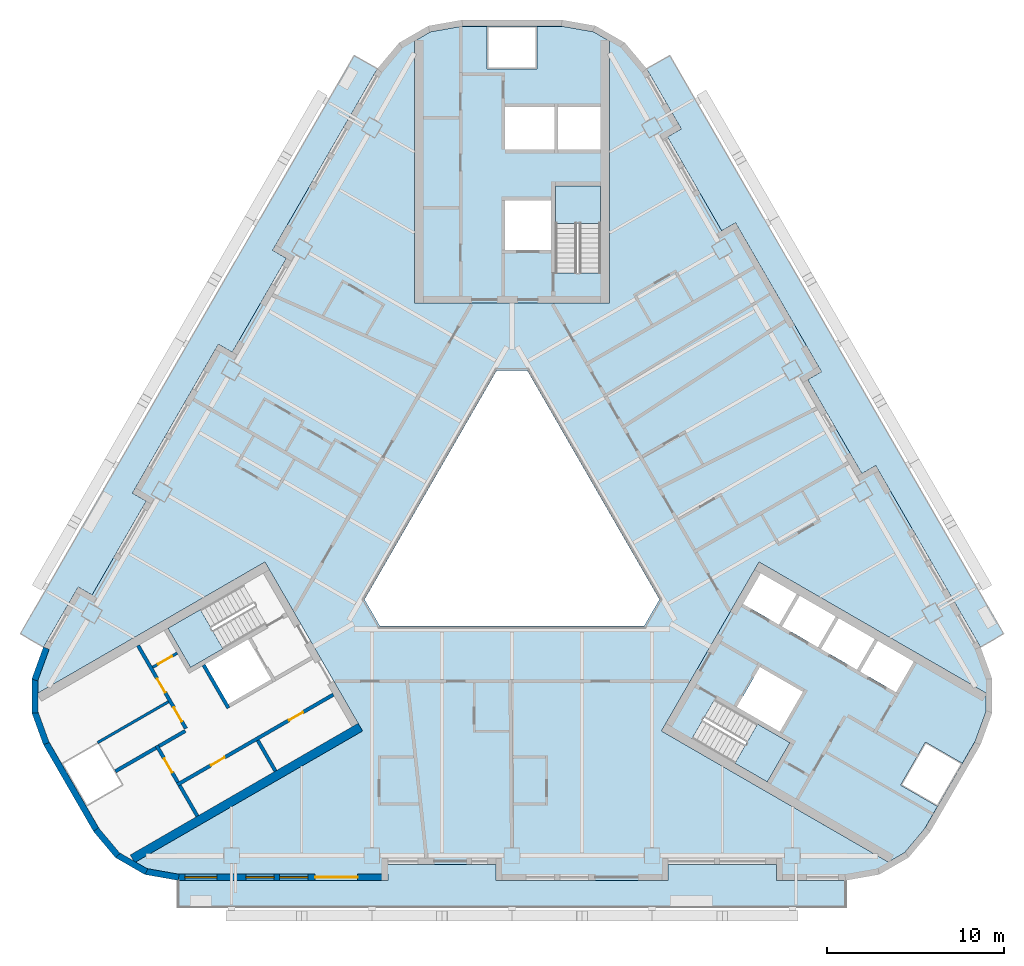
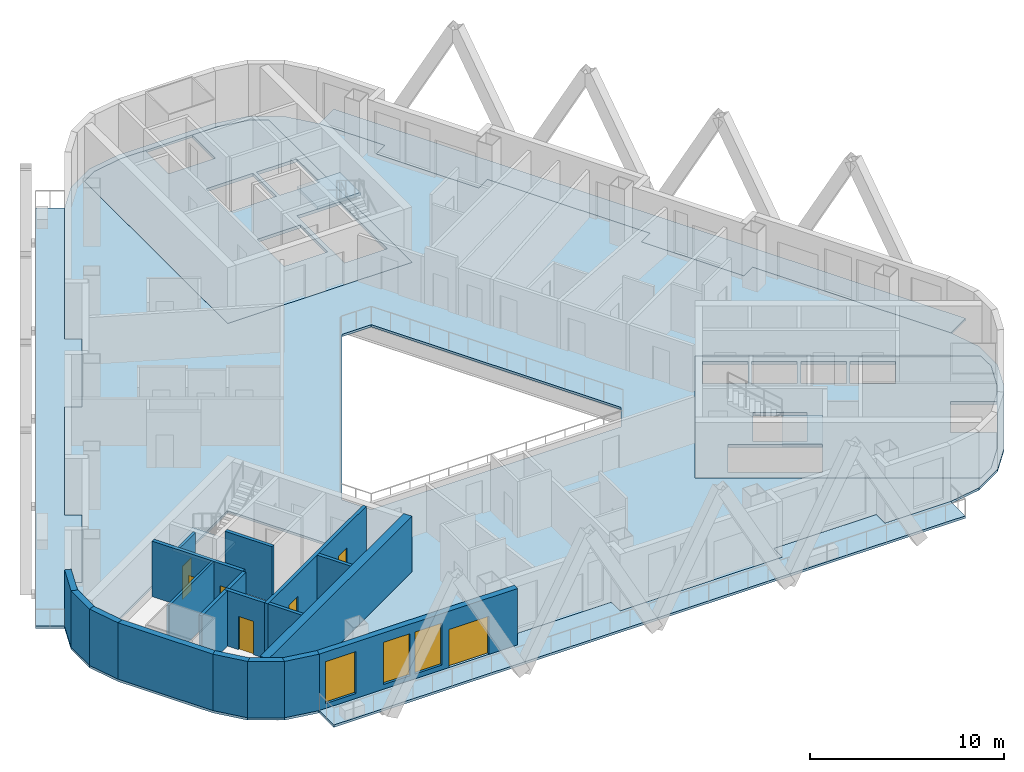
# One storey, part 2 of 14: 19 walls, 9 slabs, 7 doors, 3 windows, 10 openings, 3 elements without a shape of their own.
"""IFC4 building model written with IfcOpenShell, lengths in metres."""

from ifc_helpers import new_model, si_unit, direction, frame, frame_2d, origin, place, context, subcontext, project, spatial, polyline, rectangle, outline, extrude, material, layer, layer_set, type_object, element, fill, aggregate, save


model = new_model("IFC4")

# Units and contexts
model_context = context("Model", 3, precision=1e-05, world=origin(), true_north=direction((0.0, 1.0)))
body_context = subcontext(model_context, "Body", "Model", "MODEL_VIEW")
ifc_project = project(units=[si_unit("LENGTHUNIT", "METRE"), si_unit("AREAUNIT", "SQUARE_METRE"), si_unit("VOLUMEUNIT", "CUBIC_METRE"), si_unit("PLANEANGLEUNIT", "RADIAN"), si_unit("MASSUNIT", "GRAM", prefix="KILO")], contexts=[model_context])

# Site, building, storey
site_placement = place(None, origin())
site = spatial("IfcSite", under=ifc_project, at=site_placement, CompositionType="ELEMENT")
building_placement = place(site_placement, origin())
building = spatial("IfcBuilding", under=site, at=building_placement, Name="Apuvela Tower Hotel", CompositionType="ELEMENT")
storey_placement = place(building_placement, frame((0.0, 0.0, 120.5)))
storey = spatial("IfcBuildingStorey", under=building, at=storey_placement, Name="L28", CompositionType="ELEMENT", Elevation=120.5)

# Slabs
ifc_material_1 = material(Name="Concrete C50/60", Category="concrete")
ifc_layer_1 = layer(ifc_material_1, 0.199951171875)
ifc_layer_set_1 = layer_set([ifc_layer_1], Name="COR-FLOOR-200")
slab_type_1 = type_object("IfcSlabType", Name="COR-FLOOR-200", PredefinedType="FLOOR", material=ifc_layer_set_1)
slab_1_placement = place(storey_placement, frame((0.0, 0.0, -0.199951171875)))
element("IfcSlab", 1, at=slab_1_placement, inside=storey, type_object=slab_type_1, Name="Core floor N", PredefinedType="FLOOR", context=body_context, shape_type="SweptSolid", body=[
    extrude(outline(polyline([(5.5, 27.668212890625), (4.588623046875, 28.1943359375), (2.85498046875, 28.5), (1.39990234375, 28.5), (1.39990234375, 26.10009765625), (-1.39990234375, 26.10009765625), (-1.39990234375, 28.5), (-2.85498046875, 28.5), (-4.588623046875, 28.1943359375), (-5.5, 27.668212890625), (-5.5, 12.89990234375), (5.5, 12.89990234375), (5.5, 27.668212890625)]), holes=[polyline([(5.0, 14.60595703125), (2.449951171875, 14.60595703125), (2.449951171875, 19.5), (5.0, 19.5), (5.0, 14.60595703125)]), polyline([(2.199951171875, 15.89990234375), (-0.39990234375, 15.89990234375), (-0.39990234375, 18.699951171875), (2.199951171875, 18.699951171875), (2.199951171875, 15.89990234375)]), polyline([(5.0, 21.550048828125), (2.60009765625, 21.550048828125), (2.60009765625, 23.949951171875), (5.0, 23.949951171875), (5.0, 21.550048828125)]), polyline([(2.39990234375, 21.550048828125), (-0.39990234375, 21.550048828125), (-0.39990234375, 23.949951171875), (2.39990234375, 23.949951171875), (2.39990234375, 21.550048828125)])]), origin(), (0.0, 0.0, 1.0), 0.199951171875),
])
slab_2_placement = place(storey_placement, frame((0.0, 0.0, -0.199951171875)))
element("IfcSlab", 2, at=slab_2_placement, inside=storey, type_object=slab_type_1, Name="Core floor SE", PredefinedType="FLOOR", context=body_context, shape_type="SweptSolid", body=[
    extrude(outline(polyline([(21.211181640625, -18.59716796875), (22.122802734375, -18.071044921875), (23.254150390625, -16.72265625), (23.981689453125, -15.46240234375), (21.9033203125, -14.262451171875), (23.30322265625, -11.837646484375), (25.381591796875, -13.03759765625), (26.109375, -11.77734375), (26.711181640625, -10.123291015625), (26.711181640625, -9.07080078125), (13.921630859375, -1.68701171875), (8.421630859375, -11.213134765625), (21.211181640625, -18.59716796875)]), holes=[polyline([(13.01806640625, -4.052001953125), (14.01806640625, -2.31982421875), (16.044677734375, -3.489990234375), (15.044677734375, -5.221923828125), (13.01806640625, -4.052001953125)]), polyline([(17.244384765625, -6.491943359375), (15.2177734375, -5.322021484375), (16.2177734375, -3.58984375), (18.244384765625, -4.760009765625), (17.244384765625, -6.491943359375)]), polyline([(14.387451171875, -14.080078125), (10.149169921875, -11.633056640625), (11.42431640625, -9.4248046875), (15.66259765625, -11.871826171875), (14.387451171875, -14.080078125)]), polyline([(12.669921875, -9.855224609375), (13.9697265625, -7.603515625), (16.394775390625, -9.003662109375), (15.0947265625, -11.25537109375), (12.669921875, -9.855224609375)]), polyline([(19.444091796875, -7.761962890625), (17.41748046875, -6.591796875), (18.41748046875, -4.85986328125), (20.444091796875, -6.02978515625), (19.444091796875, -7.761962890625)]), polyline([(21.643798828125, -9.031982421875), (19.6171875, -7.86181640625), (20.6171875, -6.1298828125), (22.643798828125, -7.2998046875), (21.643798828125, -9.031982421875)])]), origin(), (0.0, 0.0, 1.0), 0.199951171875),
])

# Stair, slab
stair_type = type_object("IfcStairType", Name="COR-STAIR-22R", PredefinedType="HALF_TURN_STAIR", material=ifc_material_1)
stair_1_placement = place(storey_placement, origin())
stair_1 = element("IfcStair", 3, at=stair_1_placement, inside=storey, type_object=stair_type, Name="L28 Exit stair ST1", PredefinedType="HALF_TURN_STAIR")
ifc_layer_2 = layer(ifc_material_1, 0.199951171875)
ifc_layer_set_2 = layer_set([ifc_layer_2], Name="COR-LANDING-200")
slab_type_2 = type_object("IfcSlabType", Name="COR-LANDING-200", PredefinedType="LANDING", material=ifc_layer_set_2)
slab_3_placement = place(storey_placement, frame((0.0, 0.0, 1.64990234375)))
slab_3 = element("IfcSlab", 4, at=slab_3_placement, type_object=slab_type_2, Name="ST1 landing 1", PredefinedType="LANDING", context=body_context, shape_type="SweptSolid", body=[
    extrude(outline(polyline([(5.0, 17.39404296875), (5.0, 19.5), (2.449951171875, 19.5), (2.449951171875, 17.39404296875), (5.0, 17.39404296875)])), origin(), (0.0, 0.0, 1.0), 0.2001953125),
])
aggregate(stair_1, [slab_3])

stair_2_placement = place(storey_placement, origin())
stair_2 = element("IfcStair", 5, at=stair_2_placement, inside=storey, type_object=stair_type, Name="L28 Exit stair ST2", PredefinedType="HALF_TURN_STAIR")
slab_4_placement = place(storey_placement, frame((0.0, 0.0, 1.64990234375)))
slab_4 = element("IfcSlab", 6, at=slab_4_placement, type_object=slab_type_2, Name="ST2 landing 1", PredefinedType="LANDING", context=body_context, shape_type="SweptSolid", body=[
    extrude(outline(polyline([(-17.563720703125, -4.366943359375), (-19.387451171875, -5.419921875), (-18.112548828125, -7.628173828125), (-16.28857421875, -6.5751953125), (-17.563720703125, -4.366943359375)])), origin(), (0.0, 0.0, 1.0), 0.2001953125),
])
aggregate(stair_2, [slab_4])

stair_3_placement = place(storey_placement, origin())
stair_3 = element("IfcStair", 7, at=stair_3_placement, inside=storey, type_object=stair_type, Name="L28 Exit stair ST3", PredefinedType="HALF_TURN_STAIR")
slab_5_placement = place(storey_placement, frame((0.0, 0.0, 1.64990234375)))
slab_5 = element("IfcSlab", 8, at=slab_5_placement, type_object=slab_type_2, Name="ST3 landing 1", PredefinedType="LANDING", context=body_context, shape_type="SweptSolid", body=[
    extrude(outline(polyline([(12.563720703125, -13.027099609375), (14.387451171875, -14.080078125), (15.66259765625, -11.871826171875), (13.838623046875, -10.81884765625), (12.563720703125, -13.027099609375)])), origin(), (0.0, 0.0, 1.0), 0.2001953125),
])
aggregate(stair_3, [slab_5])

# Slabs
ifc_material_2 = material(Name="Concrete C40/50, fair-faced", Category="concrete")
ifc_layer_3 = layer(ifc_material_2, 0.14990234375)
ifc_layer_set_3 = layer_set([ifc_layer_3], Name="ENV-BALCONY-150")
slab_type_3 = type_object("IfcSlabType", Name="ENV-BALCONY-150", PredefinedType="FLOOR", material=ifc_layer_set_3)
slab_6_placement = place(storey_placement, frame((0.0, 0.0, -0.14990234375)))
element("IfcSlab", 9, at=slab_6_placement, inside=storey, type_object=slab_type_3, Name="Balcony slab S L28", PredefinedType="FLOOR", context=body_context, shape_type="SweptSolid", body=[
    extrude(outline(polyline([(18.82080078125, -21.135009765625), (-18.82080078125, -21.135009765625), (-18.82080078125, -19.625), (-7.0048828125, -19.625), (-7.0048828125, -18.72509765625), (-0.89501953125, -18.72509765625), (-0.89501953125, -19.625), (8.794921875, -19.625), (8.794921875, -18.72509765625), (14.905029296875, -18.72509765625), (14.905029296875, -19.625), (18.82080078125, -19.625), (18.82080078125, -21.135009765625)])), origin(), (0.0, 0.0, 1.0), 0.14990234375),
])
slab_7_placement = place(storey_placement, frame((0.0, 0.0, -0.14990234375)))
element("IfcSlab", 10, at=slab_7_placement, inside=storey, type_object=slab_type_3, Name="Balcony slab NE L28", PredefinedType="FLOOR", context=body_context, shape_type="SweptSolid", body=[
    extrude(outline(polyline([(17.443359375, 9.037353515625), (12.598388671875, 17.42919921875), (11.81884765625, 16.979248046875), (8.763916015625, 22.2705078125), (9.543212890625, 22.720703125), (7.585205078125, 26.11181640625), (8.89306640625, 26.86669921875), (27.7138671875, -5.731689453125), (26.40625, -6.48681640625), (20.498291015625, 3.74609375), (19.71875, 3.2958984375), (16.663818359375, 8.58740234375), (17.443359375, 9.037353515625)])), origin(), (0.0, 0.0, 1.0), 0.14990234375),
])
slab_8_placement = place(storey_placement, frame((0.0, 0.0, -0.14990234375)))
element("IfcSlab", 11, at=slab_8_placement, inside=storey, type_object=slab_type_3, Name="Balcony slab NW L28", PredefinedType="FLOOR", context=body_context, shape_type="SweptSolid", body=[
    extrude(outline(polyline([(-27.7138671875, -5.731689453125), (-8.89306640625, 26.86669921875), (-7.585205078125, 26.11181640625), (-13.4931640625, 15.87890625), (-12.7138671875, 15.428955078125), (-15.768798828125, 10.1376953125), (-16.548095703125, 10.587646484375), (-21.393310546875, 2.19580078125), (-20.61376953125, 1.745849609375), (-23.668701171875, -3.545654296875), (-24.4482421875, -3.095703125), (-26.40625, -6.48681640625), (-27.7138671875, -5.731689453125)])), origin(), (0.0, 0.0, 1.0), 0.14990234375),
])
ifc_material_3 = material(Name="Concrete C35/45", Category="concrete")
ifc_layer_4 = layer(ifc_material_3, 0.14990234375)
ifc_layer_set_4 = layer_set([ifc_layer_4], Name="STR-SLAB 150 floor Concrete C35/45")
slab_type_4 = type_object("IfcSlabType", Name="STR-SLAB 150 floor Concrete C35/45", PredefinedType="FLOOR", material=ifc_layer_set_4)
slab_9_placement = place(storey_placement, frame((0.0, 0.0, -0.14990234375)))
element("IfcSlab", 12, at=slab_9_placement, inside=storey, type_object=slab_type_4, Name="Floor slab S4 L28", PredefinedType="FLOOR", context=body_context, shape_type="SweptSolid", body=[
    extrude(outline(polyline([(-6.3642578125, 27.5732421875), (-4.710205078125, 28.5283203125), (-2.8291015625, 28.860107421875), (2.8291015625, 28.860107421875), (4.710205078125, 28.5283203125), (6.3642578125, 27.5732421875), (7.59228515625, 26.110107421875), (9.550048828125, 22.71875), (8.770751953125, 22.268798828125), (11.82080078125, 16.986083984375), (12.60009765625, 17.43603515625), (17.4501953125, 9.035400390625), (16.670654296875, 8.58544921875), (19.720703125, 3.302734375), (20.5, 3.752685546875), (26.407958984375, -6.47998046875), (27.061279296875, -8.27490234375), (27.061279296875, -10.18505859375), (26.407958984375, -11.97998046875), (23.5791015625, -16.8798828125), (22.351318359375, -18.34326171875), (20.697021484375, -19.29833984375), (18.81591796875, -19.6298828125), (14.89990234375, -19.6298828125), (14.89990234375, -18.72998046875), (8.800048828125, -18.72998046875), (8.800048828125, -19.6298828125), (-0.89990234375, -19.6298828125), (-0.89990234375, -18.72998046875), (-7.0, -18.72998046875), (-7.0, -19.6298828125), (-18.81591796875, -19.6298828125), (-20.697021484375, -19.29833984375), (-22.351318359375, -18.34326171875), (-23.5791015625, -16.8798828125), (-26.407958984375, -11.97998046875), (-27.061279296875, -10.18505859375), (-27.061279296875, -8.27490234375), (-26.407958984375, -6.47998046875), (-24.4501953125, -3.088623046875), (-23.670654296875, -3.538818359375), (-20.62060546875, 1.743896484375), (-21.400146484375, 2.194091796875), (-16.550048828125, 10.594482421875), (-15.7705078125, 10.14453125), (-12.720703125, 15.42724609375), (-13.5, 15.877197265625), (-7.59228515625, 26.110107421875), (-6.3642578125, 27.5732421875)]), holes=[polyline([(0.865966796875, 9.10009765625), (-0.865966796875, 9.10009765625), (-8.313720703125, -3.800048828125), (-7.44775390625, -5.300048828125), (7.44775390625, -5.300048828125), (8.313720703125, -3.800048828125), (0.865966796875, 9.10009765625)]), polyline([(-5.5, 12.89990234375), (-5.5, 27.668212890625), (-4.588623046875, 28.1943359375), (-2.85498046875, 28.5), (2.85498046875, 28.5), (4.588623046875, 28.1943359375), (5.5, 27.668212890625), (5.5, 12.89990234375), (-5.5, 12.89990234375)]), polyline([(-8.421630859375, -11.213134765625), (-21.211181640625, -18.59716796875), (-22.122802734375, -18.071044921875), (-23.254150390625, -16.72265625), (-26.109375, -11.77734375), (-26.711181640625, -10.123291015625), (-26.711181640625, -9.07080078125), (-13.921630859375, -1.68701171875), (-8.421630859375, -11.213134765625)]), polyline([(13.921630859375, -1.68701171875), (26.711181640625, -9.07080078125), (26.711181640625, -10.123291015625), (26.109375, -11.77734375), (23.254150390625, -16.72265625), (22.122802734375, -18.071044921875), (21.211181640625, -18.59716796875), (8.421630859375, -11.213134765625), (13.921630859375, -1.68701171875)])]), origin(), (0.0, 0.0, 1.0), 0.14990234375),
])

# Wall
ifc_layer_5 = layer(ifc_material_1, 0.5)
ifc_layer_set_5 = layer_set([ifc_layer_5], Name="COR-WALL-CORE-500")
wall_type_1 = type_object("IfcWallType", Name="COR-WALL-CORE-500", PredefinedType="SHEAR", material=ifc_layer_set_5)
wall_1_placement = place(storey_placement, frame((-8.546630859375, -10.99658203125, 0.0), z_axis=(0.0, 0.0, 1.0), x_axis=(-0.866025009528, -0.500000682871, 0.0)))
element("IfcWall", 13, at=wall_1_placement, inside=storey, type_object=wall_type_1, Name="Core wall SW", PredefinedType="SHEAR", context=body_context, shape_type="SweptSolid", body=[
    extrude(rectangle(XDim=14.8369140625, YDim=0.5, at=frame_2d((7.41845703125, 0.0))), origin(), (0.0, 0.0, 1.0), 3.5),
])

# Wall, opening, door
ifc_material_4 = material(Name="Blockwork 150 mm plastered", Category="masonry")
ifc_layer_6 = layer(ifc_material_4, 0.14990234375)
ifc_layer_set_6 = layer_set([ifc_layer_6], Name="COR-WALL-PART-150")
wall_type_2 = type_object("IfcWallType", Name="COR-WALL-PART-150", PredefinedType="PARTITIONING", material=ifc_layer_set_6)
wall_2_placement = place(storey_placement, frame((-18.866455078125, -6.822265625, 0.0), z_axis=(0.0, 0.0, 1.0), x_axis=(-0.866028054938, -0.499995408039, 0.0)))
wall_2 = element("IfcWall", 14, at=wall_2_placement, inside=storey, type_object=wall_type_2, Name="Partition SW", PredefinedType="PARTITIONING", context=body_context, shape_type="SweptSolid", body=[
    extrude(rectangle(XDim=1.60009765625, YDim=0.14990234375, at=frame_2d((0.800048828125, 0.0))), origin(), (0.0, 0.0, 1.0), 3.5),
])
opening_1_placement = place(wall_2_placement, frame((0.35009765625, 0.0, 0.0)))
opening_1 = element("IfcOpeningElement", 15, at=opening_1_placement, cuts=wall_2, Name="Opening W-RD", PredefinedType="OPENING", context=body_context, shape_type="SweptSolid", body=[
    extrude(rectangle(XDim=0.89990234375, YDim=2.10009765625, at=frame_2d((0.449951171875, 1.050048828125))), frame((0.0, 0.0849609375, 0.0), z_axis=(0.0, -1.0, 0.0), x_axis=(1.0, 0.0, 0.0)), (0.0, 0.0, 1.0), 0.169921875),
])
ifc_material_5 = material(Name="Steel access door, powder coated", Category="steel")
door_type_1 = type_object("IfcDoorType", Name="COR-RD-900", OperationType="NOTDEFINED", PredefinedType="DOOR", material=ifc_material_5)
door_1_placement = place(opening_1_placement, frame((0.89990234375, 0.0, 0.0), z_axis=(0.0, 0.0, 1.0), x_axis=(-1.0, 0.0, 0.0)))
door_1 = element("IfcDoor", 16, at=door_1_placement, inside=storey, type_object=door_type_1, Name="Riser door W-RD", OperationType="SINGLE_SWING_RIGHT", OverallHeight=2.10009765625, OverallWidth=0.89990234375, PredefinedType="DOOR", context=body_context, shape_type="SweptSolid", body=[
    extrude(rectangle(XDim=0.89990234375, YDim=2.10009765625, at=frame_2d((0.449951171875, 1.050048828125))), frame((0.0, 0.02490234375, 0.0), z_axis=(0.0, -1.0, 0.0), x_axis=(1.0, 0.0, 0.0)), (0.0, 0.0, 1.0), 0.050048828125),
])
fill(opening_1, door_1)

# Wall
wall_3_placement = place(storey_placement, frame((-19.36279296875, -9.5625, 0.0), z_axis=(0.0, 0.0, 1.0), x_axis=(-0.86601185002, -0.500023475074, 0.0)))
element("IfcWall", 17, at=wall_3_placement, inside=storey, type_object=wall_type_2, Name="Partition SW", PredefinedType="PARTITIONING", context=body_context, shape_type="SweptSolid", body=[
    extrude(rectangle(XDim=4.610107421875, YDim=0.14990234375, at=frame_2d((2.30517578125, 0.0))), origin(), (0.0, 0.0, 1.0), 3.5),
])

# Wall, openings, doors
ifc_material_6 = material(Name="Blockwork 200 mm plastered", Category="masonry")
ifc_layer_7 = layer(ifc_material_6, 0.199951171875)
ifc_layer_set_7 = layer_set([ifc_layer_7], Name="COR-WALL-PART-200")
wall_type_3 = type_object("IfcWallType", Name="COR-WALL-PART-200", PredefinedType="PARTITIONING", material=ifc_layer_set_7)
wall_4_placement = place(storey_placement, frame((-21.076171875, -6.39501953125, 0.0), z_axis=(0.0, 0.0, 1.0), x_axis=(0.50001468107, -0.866016927499, 0.0)))
wall_4 = element("IfcWall", 18, at=wall_4_placement, inside=storey, type_object=wall_type_3, Name="Partition SW", PredefinedType="PARTITIONING", context=body_context, shape_type="SweptSolid", body=[
    extrude(rectangle(XDim=5.399658203125, YDim=0.199951171875, at=frame_2d((2.69970703125, 0.0))), origin(), (0.0, 0.0, 1.0), 3.5),
])
opening_2_placement = place(wall_4_placement, frame((2.16259765625, 0.0, 0.0)))
opening_2 = element("IfcOpeningElement", 19, at=opening_2_placement, cuts=wall_4, Name="Opening W-RS1", PredefinedType="OPENING", context=body_context, shape_type="SweptSolid", body=[
    extrude(rectangle(XDim=0.89990234375, YDim=2.10009765625, at=frame_2d((0.449951171875, 1.050048828125))), frame((0.0, 0.10986328125, 0.0), z_axis=(0.0, -1.0, 0.0), x_axis=(1.0, 0.0, 0.0)), (0.0, 0.0, 1.0), 0.219970703125),
])
opening_3_placement = place(wall_4_placement, frame((4.03759765625, 0.0, 0.0)))
opening_3 = element("IfcOpeningElement", 20, at=opening_3_placement, cuts=wall_4, Name="Opening W-RS2", PredefinedType="OPENING", context=body_context, shape_type="SweptSolid", body=[
    extrude(rectangle(XDim=0.89990234375, YDim=2.10009765625, at=frame_2d((0.449951171875, 1.050048828125))), frame((0.0, 0.10986328125, 0.0), z_axis=(0.0, -1.0, 0.0), x_axis=(1.0, 0.0, 0.0)), (0.0, 0.0, 1.0), 0.219970703125),
])
ifc_material_7 = material(Name="Steel fire door, powder coated", Category="steel")
door_type_2 = type_object("IfcDoorType", Name="COR-DR-900", OperationType="NOTDEFINED", PredefinedType="DOOR", material=ifc_material_7)
door_2_placement = place(opening_2_placement, frame((0.89990234375, 0.0, 0.0), z_axis=(0.0, 0.0, 1.0), x_axis=(-1.0, 0.0, 0.0)))
door_2 = element("IfcDoor", 21, at=door_2_placement, inside=storey, type_object=door_type_2, Name="Store door W-RS1", OperationType="SINGLE_SWING_LEFT", OverallHeight=2.10009765625, OverallWidth=0.89990234375, PredefinedType="DOOR", context=body_context, shape_type="SweptSolid", body=[
    extrude(rectangle(XDim=0.89990234375, YDim=2.10009765625, at=frame_2d((0.449951171875, 1.050048828125))), frame((0.0, 0.02490234375, 0.0), z_axis=(0.0, -1.0, 0.0), x_axis=(1.0, 0.0, 0.0)), (0.0, 0.0, 1.0), 0.050048828125),
])
fill(opening_2, door_2)
door_3_placement = place(opening_3_placement, frame((0.89990234375, 0.0, 0.0), z_axis=(0.0, 0.0, 1.0), x_axis=(-1.0, 0.0, 0.0)))
door_3 = element("IfcDoor", 22, at=door_3_placement, inside=storey, type_object=door_type_2, Name="Store door W-RS2", OperationType="SINGLE_SWING_LEFT", OverallHeight=2.10009765625, OverallWidth=0.89990234375, PredefinedType="DOOR", context=body_context, shape_type="SweptSolid", body=[
    extrude(rectangle(XDim=0.89990234375, YDim=2.10009765625, at=frame_2d((0.449951171875, 1.050048828125))), frame((0.0, 0.02490234375, 0.0), z_axis=(0.0, -1.0, 0.0), x_axis=(1.0, 0.0, 0.0)), (0.0, 0.0, 1.0), 0.050048828125),
])
fill(opening_3, door_3)

# Wall
ifc_layer_8 = layer(ifc_material_1, 0.199951171875)
ifc_layer_set_8 = layer_set([ifc_layer_8], Name="COR-WALL-SHAFT-200")
wall_type_4 = type_object("IfcWallType", Name="COR-WALL-SHAFT-200", PredefinedType="SHEAR", material=ifc_layer_set_8)
wall_5_placement = place(storey_placement, frame((-17.38134765625, -7.49462890625, 0.0), z_axis=(0.0, 0.0, 1.0), x_axis=(0.500011755427, -0.866018616679, 0.0)))
element("IfcWall", 23, at=wall_5_placement, inside=storey, type_object=wall_type_4, Name="Shaft wall SW", PredefinedType="SHEAR", context=body_context, shape_type="SweptSolid", body=[
    extrude(rectangle(XDim=2.80029296875, YDim=0.199951171875, at=frame_2d((1.400146484375, 0.0))), origin(), (0.0, 0.0, 1.0), 3.5),
])

# Wall, openings, doors
wall_6_placement = place(storey_placement, frame((-10.068115234375, -9.16162109375, 0.0), z_axis=(0.0, 0.0, 1.0), x_axis=(-0.866032725843, -0.499987317609, 0.0)))
wall_6 = element("IfcWall", 24, at=wall_6_placement, inside=storey, type_object=wall_type_4, Name="Shaft wall SW", PredefinedType="SHEAR", context=body_context, shape_type="SweptSolid", body=[
    extrude(rectangle(XDim=10.159912109375, YDim=0.199951171875, at=frame_2d((5.080078125, 0.0))), origin(), (0.0, 0.0, 1.0), 3.5),
])
opening_4_placement = place(wall_6_placement, frame((1.989990234375, 0.0, 0.0)))
opening_4 = element("IfcOpeningElement", 25, at=opening_4_placement, cuts=wall_6, Name="Opening W-RE1", PredefinedType="OPENING", context=body_context, shape_type="SweptSolid", body=[
    extrude(rectangle(XDim=0.89990234375, YDim=2.10009765625, at=frame_2d((0.449951171875, 1.050048828125))), frame((0.0, 0.10986328125, 0.0), z_axis=(0.0, -1.0, 0.0), x_axis=(1.0, 0.0, 0.0)), (0.0, 0.0, 1.0), 0.219970703125),
])
opening_5_placement = place(wall_6_placement, frame((7.070068359375, 0.0, 0.0)))
opening_5 = element("IfcOpeningElement", 26, at=opening_5_placement, cuts=wall_6, Name="Opening W-RE3", PredefinedType="OPENING", context=body_context, shape_type="SweptSolid", body=[
    extrude(rectangle(XDim=0.89990234375, YDim=2.10009765625, at=frame_2d((0.449951171875, 1.050048828125))), frame((0.0, 0.10986328125, 0.0), z_axis=(0.0, -1.0, 0.0), x_axis=(1.0, 0.0, 0.0)), (0.0, 0.0, 1.0), 0.219970703125),
])
door_4_placement = place(opening_4_placement, origin())
door_4 = element("IfcDoor", 27, at=door_4_placement, inside=storey, type_object=door_type_2, Name="Store door W-RE1", OperationType="SINGLE_SWING_LEFT", OverallHeight=2.10009765625, OverallWidth=0.89990234375, PredefinedType="DOOR", context=body_context, shape_type="SweptSolid", body=[
    extrude(rectangle(XDim=0.89990234375, YDim=2.10009765625, at=frame_2d((0.449951171875, 1.050048828125))), frame((0.0, 0.02490234375, 0.0), z_axis=(0.0, -1.0, 0.0), x_axis=(1.0, 0.0, 0.0)), (0.0, 0.0, 1.0), 0.050048828125),
])
fill(opening_4, door_4)
door_5_placement = place(opening_5_placement, origin())
door_5 = element("IfcDoor", 28, at=door_5_placement, inside=storey, type_object=door_type_2, Name="Store door W-RE3", OperationType="SINGLE_SWING_LEFT", OverallHeight=2.10009765625, OverallWidth=0.89990234375, PredefinedType="DOOR", context=body_context, shape_type="SweptSolid", body=[
    extrude(rectangle(XDim=0.89990234375, YDim=2.10009765625, at=frame_2d((0.449951171875, 1.050048828125))), frame((0.0, 0.02490234375, 0.0), z_axis=(0.0, -1.0, 0.0), x_axis=(1.0, 0.0, 0.0)), (0.0, 0.0, 1.0), 0.050048828125),
])
fill(opening_5, door_5)

# Wall, opening, door
wall_7_placement = place(storey_placement, frame((-20.030517578125, -12.0263671875, 0.0), z_axis=(0.0, 0.0, 1.0), x_axis=(0.500033551112, -0.866006032174, 0.0)))
wall_7 = element("IfcWall", 29, at=wall_7_placement, inside=storey, type_object=wall_type_4, Name="Shaft wall SW", PredefinedType="SHEAR", context=body_context, shape_type="SweptSolid", body=[
    extrude(rectangle(XDim=2.400146484375, YDim=0.199951171875, at=frame_2d((1.2001953125, 0.0))), origin(), (0.0, 0.0, 1.0), 3.5),
])
opening_6_placement = place(wall_7_placement, frame((0.85009765625, 0.0, 0.0)))
opening_6 = element("IfcOpeningElement", 30, at=opening_6_placement, cuts=wall_7, Name="Opening W-REP", PredefinedType="OPENING", context=body_context, shape_type="SweptSolid", body=[
    extrude(rectangle(XDim=0.89990234375, YDim=2.10009765625, at=frame_2d((0.449951171875, 1.050048828125))), frame((0.0, 0.10986328125, 0.0), z_axis=(0.0, -1.0, 0.0), x_axis=(1.0, 0.0, 0.0)), (0.0, 0.0, 1.0), 0.219970703125),
])
door_6_placement = place(opening_6_placement, frame((0.89990234375, 0.0, 0.0), z_axis=(0.0, 0.0, 1.0), x_axis=(-1.0, 0.0, 0.0)))
door_6 = element("IfcDoor", 31, at=door_6_placement, inside=storey, type_object=door_type_2, Name="Store door W-REP", OperationType="SINGLE_SWING_LEFT", OverallHeight=2.10009765625, OverallWidth=0.89990234375, PredefinedType="DOOR", context=body_context, shape_type="SweptSolid", body=[
    extrude(rectangle(XDim=0.89990234375, YDim=2.10009765625, at=frame_2d((0.449951171875, 1.050048828125))), frame((0.0, 0.02490234375, 0.0), z_axis=(0.0, -1.0, 0.0), x_axis=(1.0, 0.0, 0.0)), (0.0, 0.0, 1.0), 0.050048828125),
])
fill(opening_6, door_6)

# Walls
wall_8_placement = place(storey_placement, frame((-18.412841796875, -11.2080078125, 0.0), z_axis=(0.0, 0.0, 1.0), x_axis=(-0.866038183914, -0.499977863513, 0.0)))
element("IfcWall", 32, at=wall_8_placement, inside=storey, type_object=wall_type_4, Name="Shaft wall SW", PredefinedType="SHEAR", context=body_context, shape_type="SweptSolid", body=[
    extrude(rectangle(XDim=1.7099609375, YDim=0.199951171875, at=frame_2d((0.85498046875, 0.0))), origin(), (0.0, 0.0, 1.0), 3.5),
])
for number, where, z_axis, x_axis, name in (
    (33, (-14.330810546875, -11.738037109375, 0.0), (0.0, 0.0, 1.0), (0.499972520799, -0.866041268327, 0.0), "Shaft wall SW"),
    (34, (-18.73046875, -14.278076171875, 0.0), (0.0, 0.0, 1.0), (0.50002537861, -0.866010750942, 0.0), "Shaft wall SW"),
):
    element("IfcWall", number, at=place(storey_placement, frame(where, z_axis=z_axis, x_axis=x_axis)), inside=storey, type_object=wall_type_4, Name=name, PredefinedType="SHEAR", context=body_context, shape_type="SweptSolid", body=[
        extrude(rectangle(XDim=2.0, YDim=0.199951171875, at=frame_2d((1.0, 0.0))), origin(), (0.0, 0.0, 1.0), 3.5),
    ])
wall_9_placement = place(storey_placement, frame((-20.06689453125, -12.1630859375, 0.0), z_axis=(0.0, 0.0, 1.0), x_axis=(-0.866060851709, -0.499938597367, 0.0)))
element("IfcWall", 35, at=wall_9_placement, inside=storey, type_object=wall_type_4, Name="Shaft wall SW", PredefinedType="SHEAR", context=body_context, shape_type="SweptSolid", body=[
    extrude(rectangle(XDim=2.639892578125, YDim=0.199951171875, at=frame_2d((1.31982421875, 0.0))), origin(), (0.0, 0.0, 1.0), 3.5),
])
ifc_material_8 = material(Name="Concrete C40/50, dark pigmented precast panel", Category="concrete")
ifc_layer_9 = layer(ifc_material_8, 0.35009765625)
ifc_layer_set_9 = layer_set([ifc_layer_9], Name="ENV-WALL-350")
wall_type_5 = type_object("IfcWallType", Name="ENV-WALL-350", PredefinedType="SOLIDWALL", material=ifc_layer_set_9)
for number, where, z_axis, x_axis, name in (
    (36, (-26.24365234375, -6.539794921875, 0.0), (0.0, 0.0, 1.0), (-0.342030395486, -0.939688889242, 0.0), "External wall L28-10"),
    (37, (-26.88623046875, -8.27490234375, 0.0), (0.0, 0.0, 1.0), (0.0, -1.0, 0.0), "External wall L28-11"),
    (38, (-26.89697265625, -10.125244140625, 0.0), (0.0, 0.0, 1.0), (0.342030395486, -0.939688889242, 0.0), "External wall L28-12"),
):
    element("IfcWall", number, at=place(storey_placement, frame(where, z_axis=z_axis, x_axis=x_axis)), inside=storey, type_object=wall_type_5, Name=name, PredefinedType="SOLIDWALL", context=body_context, shape_type="SweptSolid", body=[
        extrude(rectangle(XDim=1.91015625, YDim=0.35009765625, at=frame_2d((0.955078125, 0.0))), origin(), (0.0, 0.0, 1.0), 3.550048828125),
    ])
wall_10_placement = place(storey_placement, frame((-26.256591796875, -11.892578125, 0.0), z_axis=(0.0, 0.0, 1.0), x_axis=(0.500018773155, -0.866014564827, 0.0)))
element("IfcWall", 39, at=wall_10_placement, inside=storey, type_object=wall_type_5, Name="External wall L28-13", PredefinedType="SOLIDWALL", context=body_context, shape_type="SweptSolid", body=[
    extrude(rectangle(XDim=5.657958984375, YDim=0.35009765625, at=frame_2d((2.8291015625, 0.0))), origin(), (0.0, 0.0, 1.0), 3.550048828125),
])
for number, where, z_axis, x_axis, name in (
    (40, (-23.44482421875, -16.767578125, 0.0), (0.0, 0.0, 1.0), (0.642733291068, -0.76609001857, 0.0), "External wall L28-14"),
    (41, (-22.263671875, -18.191650390625, 0.0), (0.0, 0.0, 1.0), (0.866000389056, -0.500043324278, 0.0), "External wall L28-15"),
):
    element("IfcWall", number, at=place(storey_placement, frame(where, z_axis=z_axis, x_axis=x_axis)), inside=storey, type_object=wall_type_5, Name=name, PredefinedType="SOLIDWALL", context=body_context, shape_type="SweptSolid", body=[
        extrude(rectangle(XDim=1.909912109375, YDim=0.35009765625, at=frame_2d((0.955078125, 0.0))), origin(), (0.0, 0.0, 1.0), 3.550048828125),
    ])
wall_11_placement = place(storey_placement, frame((-20.66650390625, -19.1259765625, 0.0), z_axis=(0.0, 0.0, 1.0), x_axis=(0.984798995425, -0.173697837091, 0.0)))
element("IfcWall", 42, at=wall_11_placement, inside=storey, type_object=wall_type_5, Name="External wall L28-16", PredefinedType="SOLIDWALL", context=body_context, shape_type="SweptSolid", body=[
    extrude(rectangle(XDim=1.91015625, YDim=0.35009765625, at=frame_2d((0.955078125, 0.0))), origin(), (0.0, 0.0, 1.0), 3.550048828125),
])

# Wall, openings, door, windows
wall_12_placement = place(storey_placement, frame((-18.81591796875, -19.455078125, 0.0), z_axis=(0.0, 0.0, 1.0), x_axis=(1.0, 0.0, 0.0)))
wall_12 = element("IfcWall", 43, at=wall_12_placement, inside=storey, type_object=wall_type_5, Name="External wall L28-17", PredefinedType="SOLIDWALL", context=body_context, shape_type="SweptSolid", body=[
    extrude(rectangle(XDim=11.81591796875, YDim=0.35009765625, at=frame_2d((5.907958984375, 0.0))), origin(), (0.0, 0.0, 1.0), 3.550048828125),
])
opening_7_placement = place(wall_12_placement, frame((0.380615234375, 0.0, 0.300048828125)))
opening_7 = element("IfcOpeningElement", 44, at=opening_7_placement, cuts=wall_12, Name="Opening WN18", PredefinedType="OPENING", context=body_context, shape_type="SweptSolid", body=[
    extrude(rectangle(XDim=1.800048828125, YDim=2.64990234375, at=frame_2d((0.89990234375, 1.324951171875))), frame((0.0, 0.18505859375, 0.0), z_axis=(0.0, -1.0, 0.0), x_axis=(1.0, 0.0, 0.0)), (0.0, 0.0, 1.0), 0.3701171875),
])
opening_8_placement = place(wall_12_placement, frame((7.71630859375, 0.0, 0.0)))
opening_8 = element("IfcOpeningElement", 45, at=opening_8_placement, cuts=wall_12, Name="Opening BD24", PredefinedType="OPENING", context=body_context, shape_type="SweptSolid", body=[
    extrude(rectangle(XDim=2.39990234375, YDim=2.39990234375, at=frame_2d((1.199951171875, 1.199951171875))), frame((0.0, 0.18505859375, 0.0), z_axis=(0.0, -1.0, 0.0), x_axis=(1.0, 0.0, 0.0)), (0.0, 0.0, 1.0), 0.3701171875),
])
opening_9_placement = place(wall_12_placement, frame((3.816162109375, 0.0, 0.300048828125)))
opening_9 = element("IfcOpeningElement", 46, at=opening_9_placement, cuts=wall_12, Name="Opening WN16", PredefinedType="OPENING", context=body_context, shape_type="SweptSolid", body=[
    extrude(rectangle(XDim=1.60009765625, YDim=2.64990234375, at=frame_2d((0.800048828125, 1.324951171875))), frame((0.0, 0.18505859375, 0.0), z_axis=(0.0, -1.0, 0.0), x_axis=(1.0, 0.0, 0.0)), (0.0, 0.0, 1.0), 0.3701171875),
])
opening_10_placement = place(wall_12_placement, frame((5.71630859375, 0.0, 0.300048828125)))
opening_10 = element("IfcOpeningElement", 47, at=opening_10_placement, cuts=wall_12, Name="Opening WN16", PredefinedType="OPENING", context=body_context, shape_type="SweptSolid", body=[
    extrude(rectangle(XDim=1.60009765625, YDim=2.64990234375, at=frame_2d((0.800048828125, 1.324951171875))), frame((0.0, 0.18505859375, 0.0), z_axis=(0.0, -1.0, 0.0), x_axis=(1.0, 0.0, 0.0)), (0.0, 0.0, 1.0), 0.3701171875),
])
ifc_material_9 = material(Name="Aluminium 6063-T6, dark bronze anodised frame with dark tinted laminated glass", Category="aluminium")
door_type_3 = type_object("IfcDoorType", Name="ENV-DOOR-BALCONY-2400x2400", OperationType="SLIDING_TO_LEFT", PredefinedType="DOOR", material=ifc_material_9)
door_7_placement = place(opening_8_placement, frame((2.39990234375, 0.0, 0.0), z_axis=(0.0, 0.0, 1.0), x_axis=(-1.0, 0.0, 0.0)))
door_7 = element("IfcDoor", 48, at=door_7_placement, inside=storey, type_object=door_type_3, Name="Balcony door BD24", OperationType="SLIDING_TO_LEFT", OverallHeight=2.39990234375, OverallWidth=2.39990234375, PredefinedType="DOOR", context=body_context, shape_type="SweptSolid", body=[
    extrude(rectangle(XDim=2.39990234375, YDim=2.39990234375, at=frame_2d((1.199951171875, 1.199951171875))), frame((0.0, 0.02490234375, 0.0), z_axis=(0.0, -1.0, 0.0), x_axis=(1.0, 0.0, 0.0)), (0.0, 0.0, 1.0), 0.050048828125),
])
fill(opening_8, door_7)
ifc_material_10 = material(Name="Glass, dark tinted laminated insulated glazing unit", Category="glass")
window_type_1 = type_object("IfcWindowType", Name="ENV-WIN-1600x2650", PartitioningType="SINGLE_PANEL", PredefinedType="WINDOW", material=ifc_material_10)
window_1_placement = place(opening_9_placement, origin())
window_1 = element("IfcWindow", 49, at=window_1_placement, inside=storey, type_object=window_type_1, Name="Window WN16", OverallHeight=2.64990234375, OverallWidth=1.60009765625, PartitioningType="SINGLE_PANEL", PredefinedType="WINDOW", context=body_context, shape_type="SweptSolid", body=[
    extrude(rectangle(XDim=1.60009765625, YDim=2.64990234375, at=frame_2d((0.800048828125, 1.324951171875))), frame((0.0, 0.030029296875, 0.0), z_axis=(0.0, -1.0, 0.0), x_axis=(1.0, 0.0, 0.0)), (0.0, 0.0, 1.0), 0.06005859375),
])
fill(opening_9, window_1)
window_2_placement = place(opening_10_placement, origin())
window_2 = element("IfcWindow", 50, at=window_2_placement, inside=storey, type_object=window_type_1, Name="Window WN16", OverallHeight=2.64990234375, OverallWidth=1.60009765625, PartitioningType="SINGLE_PANEL", PredefinedType="WINDOW", context=body_context, shape_type="SweptSolid", body=[
    extrude(rectangle(XDim=1.60009765625, YDim=2.64990234375, at=frame_2d((0.800048828125, 1.324951171875))), frame((0.0, 0.030029296875, 0.0), z_axis=(0.0, -1.0, 0.0), x_axis=(1.0, 0.0, 0.0)), (0.0, 0.0, 1.0), 0.06005859375),
])
fill(opening_10, window_2)
window_type_2 = type_object("IfcWindowType", Name="ENV-WIN-1800x2650", PartitioningType="SINGLE_PANEL", PredefinedType="WINDOW", material=ifc_material_10)
window_3_placement = place(opening_7_placement, origin())
window_3 = element("IfcWindow", 51, at=window_3_placement, inside=storey, type_object=window_type_2, Name="Window WN18", OverallHeight=2.64990234375, OverallWidth=1.800048828125, PartitioningType="SINGLE_PANEL", PredefinedType="WINDOW", context=body_context, shape_type="SweptSolid", body=[
    extrude(rectangle(XDim=1.800048828125, YDim=2.64990234375, at=frame_2d((0.89990234375, 1.324951171875))), frame((0.0, 0.030029296875, 0.0), z_axis=(0.0, -1.0, 0.0), x_axis=(1.0, 0.0, 0.0)), (0.0, 0.0, 1.0), 0.06005859375),
])
fill(opening_7, window_3)

save(model, "model.ifc")
